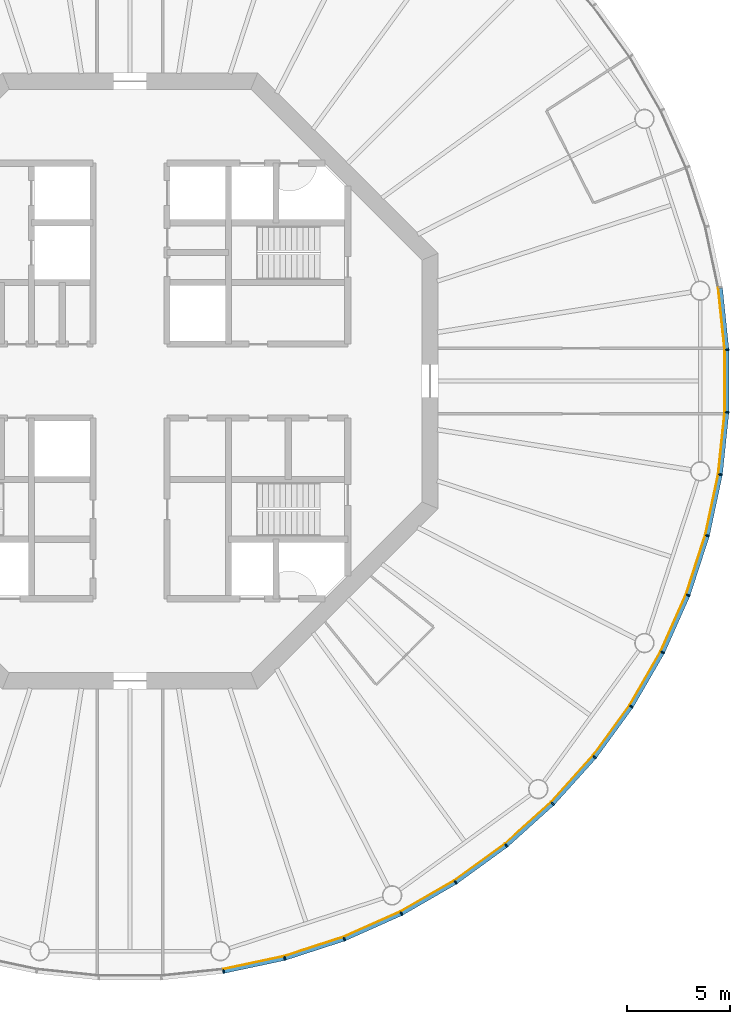
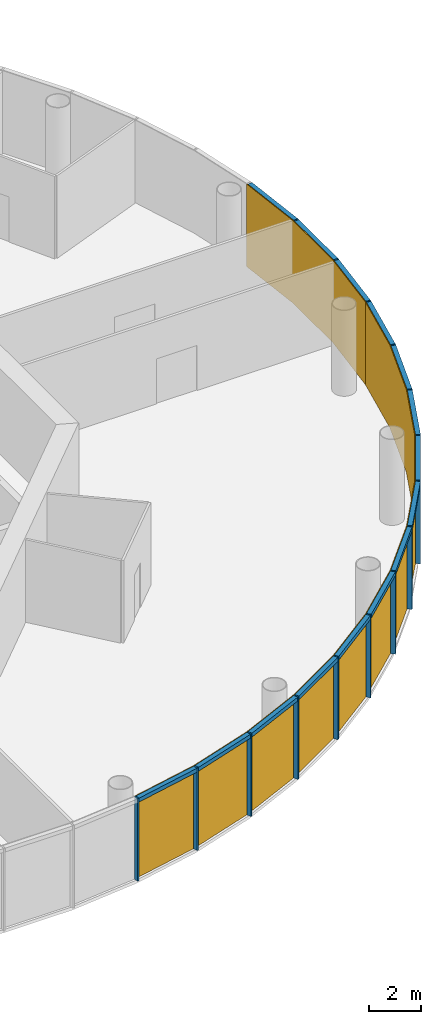
# One storey, part 8 of 12: 30 members, 5 curtain walls.
"""IFC4 building model written with IfcOpenShell, lengths in metres."""

from ifc_helpers import new_model, si_unit, direction, frame, origin, origin_2d, place, context, subcontext, project, spatial, polyline, rectangle, outline, extrude, material, layer, layer_set, material_profile, profile_set, type_object, element, aggregate, save


model = new_model("IFC4")

# Units and contexts
model_context = context("Model", 3, precision=1e-05, world=origin(), true_north=direction((0.0, 1.0)))
body_context = subcontext(model_context, "Body", "Model", "MODEL_VIEW")
ifc_project = project(units=[si_unit("LENGTHUNIT", "METRE"), si_unit("AREAUNIT", "SQUARE_METRE"), si_unit("VOLUMEUNIT", "CUBIC_METRE"), si_unit("PLANEANGLEUNIT", "RADIAN"), si_unit("MASSUNIT", "GRAM", prefix="KILO")], contexts=[model_context])

# Member
ifc_material_1 = material(Name="Anodised aluminium", Category="aluminium")
ifc_material_profile_1 = material_profile(ifc_material_1, rectangle(XDim=0.06494140625, YDim=0.195068359375, at=origin_2d()), Name="Mullion 65 x 195 mm anodised aluminium")
ifc_profile_set_1 = profile_set([ifc_material_profile_1], Name="Anodised aluminium")
member_type_1 = type_object("IfcMemberType", Name="Mullion 65 x 195 mm anodised aluminium", PredefinedType="MULLION", material=ifc_profile_set_1)
site_placement = place(None, origin())
building_placement = place(site_placement, origin())
storey_placement = place(building_placement, frame((0.0, 0.0, 322.0)))
member_1_placement = place(storey_placement, frame((94.5517578125, 51.2607421875, 0.0), z_axis=(0.0, 0.0, 1.0), x_axis=(0.987688340595, 0.15643446504, 0.0)))
member_1 = element("IfcMember", 1, at=member_1_placement, type_object=member_type_1, Name="MULLION L74-45", PredefinedType="MULLION", context=body_context, shape_type="SweptSolid", body=[
    extrude(rectangle(XDim=0.06494140625, YDim=0.195068359375, at=origin_2d()), origin(), (0.0, 0.0, 1.0), 3.85009765625),
])

member_2_placement = place(storey_placement, frame((97.531005859375, 51.89404296875, 0.0), z_axis=(0.0, 0.0, 1.0), x_axis=(0.965925826289, 0.258819045103, 0.0)))
member_2 = element("IfcMember", 2, at=member_2_placement, type_object=member_type_1, Name="MULLION L74-46", PredefinedType="MULLION", context=body_context, shape_type="SweptSolid", body=[
    extrude(rectangle(XDim=0.06494140625, YDim=0.195068359375, at=origin_2d()), origin(), (0.0, 0.0, 1.0), 3.85009765625),
])

member_3_placement = place(storey_placement, frame((100.427490234375, 52.835205078125, 0.0), z_axis=(0.0, 0.0, 1.0), x_axis=(0.933580426497, 0.358367949545, 0.0)))
member_3 = element("IfcMember", 3, at=member_3_placement, type_object=member_type_1, Name="MULLION L74-47", PredefinedType="MULLION", context=body_context, shape_type="SweptSolid", body=[
    extrude(rectangle(XDim=0.06494140625, YDim=0.195068359375, at=origin_2d()), origin(), (0.0, 0.0, 1.0), 3.85009765625),
])

member_4_placement = place(storey_placement, frame((103.2099609375, 54.073974609375, 0.0), z_axis=(0.0, 0.0, 1.0), x_axis=(0.891006524188, 0.45399049974, 0.0)))
member_4 = element("IfcMember", 4, at=member_4_placement, type_object=member_type_1, Name="MULLION L74-48", PredefinedType="MULLION", context=body_context, shape_type="SweptSolid", body=[
    extrude(rectangle(XDim=0.06494140625, YDim=0.195068359375, at=origin_2d()), origin(), (0.0, 0.0, 1.0), 3.85009765625),
])

member_5_placement = place(storey_placement, frame((105.84765625, 55.5966796875, 0.0), z_axis=(0.0, 0.0, 1.0), x_axis=(0.838670567945, 0.544639035015, 0.0)))
member_5 = element("IfcMember", 5, at=member_5_placement, type_object=member_type_1, Name="MULLION L74-49", PredefinedType="MULLION", context=body_context, shape_type="SweptSolid", body=[
    extrude(rectangle(XDim=0.06494140625, YDim=0.195068359375, at=origin_2d()), origin(), (0.0, 0.0, 1.0), 3.85009765625),
])

member_6_placement = place(storey_placement, frame((108.311767578125, 57.386962890625, 0.0), z_axis=(0.0, 0.0, 1.0), x_axis=(0.777145961457, 0.62932039105, 0.0)))
member_6 = element("IfcMember", 6, at=member_6_placement, type_object=member_type_1, Name="MULLION L74-50", PredefinedType="MULLION", context=body_context, shape_type="SweptSolid", body=[
    extrude(rectangle(XDim=0.06494140625, YDim=0.195068359375, at=origin_2d()), origin(), (0.0, 0.0, 1.0), 3.85009765625),
])

member_7_placement = place(storey_placement, frame((110.574951171875, 59.425048828125, 0.0), z_axis=(0.0, 0.0, 1.0), x_axis=(0.707106781187, 0.707106781187, 0.0)))
member_7 = element("IfcMember", 7, at=member_7_placement, type_object=member_type_1, Name="MULLION L74-51", PredefinedType="MULLION", context=body_context, shape_type="SweptSolid", body=[
    extrude(rectangle(XDim=0.06494140625, YDim=0.195068359375, at=origin_2d()), origin(), (0.0, 0.0, 1.0), 3.85009765625),
])

member_8_placement = place(storey_placement, frame((112.613037109375, 61.688232421875, 0.0), z_axis=(0.0, 0.0, 1.0), x_axis=(0.62932039105, 0.777145961457, 0.0)))
member_8 = element("IfcMember", 8, at=member_8_placement, type_object=member_type_1, Name="MULLION L74-52", PredefinedType="MULLION", context=body_context, shape_type="SweptSolid", body=[
    extrude(rectangle(XDim=0.06494140625, YDim=0.195068359375, at=origin_2d()), origin(), (0.0, 0.0, 1.0), 3.85009765625),
])

member_9_placement = place(storey_placement, frame((114.4033203125, 64.15234375, 0.0), z_axis=(0.0, 0.0, 1.0), x_axis=(0.544639035015, 0.838670567945, 0.0)))
member_9 = element("IfcMember", 9, at=member_9_placement, type_object=member_type_1, Name="MULLION L74-53", PredefinedType="MULLION", context=body_context, shape_type="SweptSolid", body=[
    extrude(rectangle(XDim=0.06494140625, YDim=0.195068359375, at=origin_2d()), origin(), (0.0, 0.0, 1.0), 3.85009765625),
])

member_10_placement = place(storey_placement, frame((115.926025390625, 66.7900390625, 0.0), z_axis=(0.0, 0.0, 1.0), x_axis=(0.45399049974, 0.891006524188, 0.0)))
member_10 = element("IfcMember", 10, at=member_10_placement, type_object=member_type_1, Name="MULLION L74-54", PredefinedType="MULLION", context=body_context, shape_type="SweptSolid", body=[
    extrude(rectangle(XDim=0.06494140625, YDim=0.195068359375, at=origin_2d()), origin(), (0.0, 0.0, 1.0), 3.85009765625),
])

member_11_placement = place(storey_placement, frame((117.164794921875, 69.572509765625, 0.0), z_axis=(0.0, 0.0, 1.0), x_axis=(0.358367949545, 0.933580426497, 0.0)))
member_11 = element("IfcMember", 11, at=member_11_placement, type_object=member_type_1, Name="MULLION L74-55", PredefinedType="MULLION", context=body_context, shape_type="SweptSolid", body=[
    extrude(rectangle(XDim=0.06494140625, YDim=0.195068359375, at=origin_2d()), origin(), (0.0, 0.0, 1.0), 3.85009765625),
])

member_12_placement = place(storey_placement, frame((118.10595703125, 72.468994140625, 0.0), z_axis=(0.0, 0.0, 1.0), x_axis=(0.258819045103, 0.965925826289, 0.0)))
member_12 = element("IfcMember", 12, at=member_12_placement, type_object=member_type_1, Name="MULLION L74-56", PredefinedType="MULLION", context=body_context, shape_type="SweptSolid", body=[
    extrude(rectangle(XDim=0.06494140625, YDim=0.195068359375, at=origin_2d()), origin(), (0.0, 0.0, 1.0), 3.85009765625),
])

member_13_placement = place(storey_placement, frame((118.7392578125, 75.4482421875, 0.0), z_axis=(0.0, 0.0, 1.0), x_axis=(0.15643446504, 0.987688340595, 0.0)))
member_13 = element("IfcMember", 13, at=member_13_placement, type_object=member_type_1, Name="MULLION L74-57", PredefinedType="MULLION", context=body_context, shape_type="SweptSolid", body=[
    extrude(rectangle(XDim=0.06494140625, YDim=0.195068359375, at=origin_2d()), origin(), (0.0, 0.0, 1.0), 3.85009765625),
])

member_14_placement = place(storey_placement, frame((119.0576171875, 78.47705078125, 0.0), z_axis=(0.0, 0.0, 1.0), x_axis=(0.052335956243, 0.998629534755, 0.0)))
member_14 = element("IfcMember", 14, at=member_14_placement, type_object=member_type_1, Name="MULLION L74-58", PredefinedType="MULLION", context=body_context, shape_type="SweptSolid", body=[
    extrude(rectangle(XDim=0.06494140625, YDim=0.195068359375, at=origin_2d()), origin(), (0.0, 0.0, 1.0), 3.85009765625),
])

member_15_placement = place(storey_placement, frame((119.0576171875, 81.52294921875, 0.0), z_axis=(0.0, 0.0, 1.0), x_axis=(-0.052335956243, 0.998629534755, 0.0)))
member_15 = element("IfcMember", 15, at=member_15_placement, type_object=member_type_1, Name="MULLION L74-59", PredefinedType="MULLION", context=body_context, shape_type="SweptSolid", body=[
    extrude(rectangle(XDim=0.06494140625, YDim=0.195068359375, at=origin_2d()), origin(), (0.0, 0.0, 1.0), 3.85009765625),
])

ifc_material_2 = material(Name="Anodised aluminium", Category="aluminium")
ifc_material_profile_2 = material_profile(ifc_material_2, rectangle(XDim=0.195068359375, YDim=0.179931640625, at=origin_2d()), Name="Transom 180 x 195 mm anodised aluminium")
ifc_profile_set_2 = profile_set([ifc_material_profile_2], Name="Anodised aluminium")
member_type_2 = type_object("IfcMemberType", Name="Transom 180 x 195 mm anodised aluminium", PredefinedType="USERDEFINED", material=ifc_profile_set_2)
member_16_placement = place(storey_placement, frame((94.588623046875, 51.268310546875, 3.760009765625), z_axis=(0.978141510112, 0.207940342877, 0.0), x_axis=(-0.207940342877, 0.978141510112, 0.0)))
member_16 = element("IfcMember", 16, at=member_16_placement, type_object=member_type_2, Name="TRANSOM L74-45", ObjectType="TRANSOM", PredefinedType="USERDEFINED", context=body_context, shape_type="SweptSolid", body=[
    extrude(rectangle(XDim=0.195068359375, YDim=0.179931640625, at=origin_2d()), origin(), (0.0, 0.0, 1.0), 2.970458984375),
])

member_17_placement = place(storey_placement, frame((97.56689453125, 51.905517578125, 3.760009765625), z_axis=(0.951047960094, 0.309043326415, 0.0), x_axis=(-0.309043326415, 0.951047960094, 0.0)))
member_17 = element("IfcMember", 17, at=member_17_placement, type_object=member_type_2, Name="TRANSOM L74-46", ObjectType="TRANSOM", PredefinedType="USERDEFINED", context=body_context, shape_type="SweptSolid", body=[
    extrude(rectangle(XDim=0.195068359375, YDim=0.179931640625, at=origin_2d()), origin(), (0.0, 0.0, 1.0), 2.970458984375),
])

member_18_placement = place(storey_placement, frame((100.4619140625, 52.850341796875, 3.760009765625), z_axis=(0.913550406593, 0.406725527369, 0.0), x_axis=(-0.406725527369, 0.913550406593, 0.0)))
member_18 = element("IfcMember", 18, at=member_18_placement, type_object=member_type_2, Name="TRANSOM L74-47", ObjectType="TRANSOM", PredefinedType="USERDEFINED", context=body_context, shape_type="SweptSolid", body=[
    extrude(rectangle(XDim=0.195068359375, YDim=0.179931640625, at=origin_2d()), origin(), (0.0, 0.0, 1.0), 2.970703125),
])

member_19_placement = place(storey_placement, frame((103.24267578125, 54.092529296875, 3.760009765625), z_axis=(0.866009025146, 0.500028367561, 0.0), x_axis=(-0.500028367561, 0.866009025146, 0.0)))
member_19 = element("IfcMember", 19, at=member_19_placement, type_object=member_type_2, Name="TRANSOM L74-48", ObjectType="TRANSOM", PredefinedType="USERDEFINED", context=body_context, shape_type="SweptSolid", body=[
    extrude(rectangle(XDim=0.195068359375, YDim=0.179931640625, at=origin_2d()), origin(), (0.0, 0.0, 1.0), 2.970458984375),
])

member_20_placement = place(storey_placement, frame((105.878173828125, 55.618896484375, 3.760009765625), z_axis=(0.809030990733, 0.587765987476, 0.0), x_axis=(-0.587765987476, 0.809030990733, 0.0)))
member_20 = element("IfcMember", 20, at=member_20_placement, type_object=member_type_2, Name="TRANSOM L74-49", ObjectType="TRANSOM", PredefinedType="USERDEFINED", context=body_context, shape_type="SweptSolid", body=[
    extrude(rectangle(XDim=0.195068359375, YDim=0.179931640625, at=origin_2d()), origin(), (0.0, 0.0, 1.0), 2.97021484375),
])

member_21_placement = place(storey_placement, frame((108.339599609375, 57.412109375, 3.760009765625), z_axis=(0.743163354343, 0.669110027395, 0.0), x_axis=(-0.669110027395, 0.743163354343, 0.0)))
member_21 = element("IfcMember", 21, at=member_21_placement, type_object=member_type_2, Name="TRANSOM L74-50", ObjectType="TRANSOM", PredefinedType="USERDEFINED", context=body_context, shape_type="SweptSolid", body=[
    extrude(rectangle(XDim=0.195068359375, YDim=0.179931640625, at=origin_2d()), origin(), (0.0, 0.0, 1.0), 2.970458984375),
])

member_22_placement = place(storey_placement, frame((110.600341796875, 59.452880859375, 3.760009765625), z_axis=(0.669110027395, 0.743163354343, 0.0), x_axis=(-0.743163354343, 0.669110027395, 0.0)))
member_22 = element("IfcMember", 22, at=member_22_placement, type_object=member_type_2, Name="TRANSOM L74-51", ObjectType="TRANSOM", PredefinedType="USERDEFINED", context=body_context, shape_type="SweptSolid", body=[
    extrude(rectangle(XDim=0.195068359375, YDim=0.179931640625, at=origin_2d()), origin(), (0.0, 0.0, 1.0), 2.970458984375),
])

member_23_placement = place(storey_placement, frame((112.63525390625, 61.71875, 3.760009765625), z_axis=(0.587765987476, 0.809030990733, 0.0), x_axis=(-0.809030990733, 0.587765987476, 0.0)))
member_23 = element("IfcMember", 23, at=member_23_placement, type_object=member_type_2, Name="TRANSOM L74-52", ObjectType="TRANSOM", PredefinedType="USERDEFINED", context=body_context, shape_type="SweptSolid", body=[
    extrude(rectangle(XDim=0.195068359375, YDim=0.179931640625, at=origin_2d()), origin(), (0.0, 0.0, 1.0), 2.97021484375),
])

member_24_placement = place(storey_placement, frame((114.422119140625, 64.184814453125, 3.760009765625), z_axis=(0.500028367561, 0.866009025146, 0.0), x_axis=(-0.866009025146, 0.500028367561, 0.0)))
member_24 = element("IfcMember", 24, at=member_24_placement, type_object=member_type_2, Name="TRANSOM L74-53", ObjectType="TRANSOM", PredefinedType="USERDEFINED", context=body_context, shape_type="SweptSolid", body=[
    extrude(rectangle(XDim=0.195068359375, YDim=0.179931640625, at=origin_2d()), origin(), (0.0, 0.0, 1.0), 2.970458984375),
])

member_25_placement = place(storey_placement, frame((115.94140625, 66.82421875, 3.760009765625), z_axis=(0.406725527369, 0.913550406593, 0.0), x_axis=(-0.913550406593, 0.406725527369, 0.0)))
member_25 = element("IfcMember", 25, at=member_25_placement, type_object=member_type_2, Name="TRANSOM L74-54", ObjectType="TRANSOM", PredefinedType="USERDEFINED", context=body_context, shape_type="SweptSolid", body=[
    extrude(rectangle(XDim=0.195068359375, YDim=0.179931640625, at=origin_2d()), origin(), (0.0, 0.0, 1.0), 2.970703125),
])

member_26_placement = place(storey_placement, frame((117.176513671875, 69.608154296875, 3.760009765625), z_axis=(0.309043326415, 0.951047960094, 0.0), x_axis=(-0.951047960094, 0.309043326415, 0.0)))
member_26 = element("IfcMember", 26, at=member_26_placement, type_object=member_type_2, Name="TRANSOM L74-55", ObjectType="TRANSOM", PredefinedType="USERDEFINED", context=body_context, shape_type="SweptSolid", body=[
    extrude(rectangle(XDim=0.195068359375, YDim=0.179931640625, at=origin_2d()), origin(), (0.0, 0.0, 1.0), 2.970458984375),
])

member_27_placement = place(storey_placement, frame((118.114013671875, 72.505859375, 3.760009765625), z_axis=(0.207940342877, 0.978141510112, 0.0), x_axis=(-0.978141510112, 0.207940342877, 0.0)))
member_27 = element("IfcMember", 27, at=member_27_placement, type_object=member_type_2, Name="TRANSOM L74-56", ObjectType="TRANSOM", PredefinedType="USERDEFINED", context=body_context, shape_type="SweptSolid", body=[
    extrude(rectangle(XDim=0.195068359375, YDim=0.179931640625, at=origin_2d()), origin(), (0.0, 0.0, 1.0), 2.970458984375),
])

member_28_placement = place(storey_placement, frame((118.743408203125, 75.485595703125, 3.760009765625), z_axis=(0.104466577987, 0.994528397827, 0.0), x_axis=(-0.994528397827, 0.104466577987, 0.0)))
member_28 = element("IfcMember", 28, at=member_28_placement, type_object=member_type_2, Name="TRANSOM L74-57", ObjectType="TRANSOM", PredefinedType="USERDEFINED", context=body_context, shape_type="SweptSolid", body=[
    extrude(rectangle(XDim=0.195068359375, YDim=0.179931640625, at=origin_2d()), origin(), (0.0, 0.0, 1.0), 2.970458984375),
])

member_29_placement = place(storey_placement, frame((119.057861328125, 78.5146484375, 3.760009765625), z_axis=(0.0, 1.0, 0.0), x_axis=(-1.0, 0.0, 0.0)))
member_29 = element("IfcMember", 29, at=member_29_placement, type_object=member_type_2, Name="TRANSOM L74-58", ObjectType="TRANSOM", PredefinedType="USERDEFINED", context=body_context, shape_type="SweptSolid", body=[
    extrude(rectangle(XDim=0.195068359375, YDim=0.179931640625, at=origin_2d()), origin(), (0.0, 0.0, 1.0), 2.970703125),
])

member_30_placement = place(storey_placement, frame((119.0537109375, 81.560302734375, 3.760009765625), z_axis=(-0.104466577987, 0.994528397827, 0.0), x_axis=(-0.994528397827, -0.104466577987, 0.0)))
member_30 = element("IfcMember", 30, at=member_30_placement, type_object=member_type_2, Name="TRANSOM L74-59", ObjectType="TRANSOM", PredefinedType="USERDEFINED", context=body_context, shape_type="SweptSolid", body=[
    extrude(rectangle(XDim=0.195068359375, YDim=0.179931640625, at=origin_2d()), origin(), (0.0, 0.0, 1.0), 2.970458984375),
])

# Site, building, storey
site = spatial("IfcSite", under=ifc_project, at=site_placement, CompositionType="ELEMENT")
building = spatial("IfcBuilding", under=site, at=building_placement, Name="Entoto Ring Tower", CompositionType="ELEMENT")
storey = spatial("IfcBuildingStorey", under=building, at=storey_placement, Name="L74", CompositionType="ELEMENT", Elevation=322.0)

# Curtain wall
ifc_material_3 = material(Name="Clear low-iron glass", Category="glass")
ifc_layer = layer(ifc_material_3, 0.033935546875)
ifc_layer_set = layer_set([ifc_layer], Name="Clear low-iron glass")
curtain_wall_type = type_object("IfcCurtainWallType", Name="Curtain wall system CW5 glazing 34 mm", PredefinedType="NOTDEFINED", material=ifc_layer_set)
curtain_wall_1_placement = place(storey_placement, origin())
curtain_wall_1 = element("IfcCurtainWall", 31, at=curtain_wall_1_placement, inside=storey, type_object=curtain_wall_type, Name="CW5 L74-16", PredefinedType="NOTDEFINED", context=body_context, shape_type="SweptSolid", body=[
    extrude(outline(polyline([(94.53662109375, 51.35693359375), (97.505859375, 51.988037109375), (100.392578125, 52.92626953125), (103.165771484375, 54.160888671875), (103.150146484375, 54.191162109375), (100.38037109375, 52.9580078125), (97.496826171875, 52.02099609375), (94.53125, 51.390625), (94.53662109375, 51.35693359375)])), origin(), (0.0, 0.0, 1.0), 3.85009765625),
])

aggregate(curtain_wall_1, [member_1, member_2, member_3, member_16, member_17, member_18])

curtain_wall_2_placement = place(storey_placement, origin())
curtain_wall_2 = element("IfcCurtainWall", 32, at=curtain_wall_2_placement, inside=storey, type_object=curtain_wall_type, Name="CW5 L74-17", PredefinedType="NOTDEFINED", context=body_context, shape_type="SweptSolid", body=[
    extrude(outline(polyline([(103.165771484375, 54.160888671875), (105.79443359375, 55.678466796875), (108.250244140625, 57.462646484375), (110.506103515625, 59.493896484375), (110.48193359375, 59.51806640625), (108.228759765625, 57.4892578125), (105.77587890625, 55.70703125), (103.150146484375, 54.191162109375), (103.165771484375, 54.160888671875)])), origin(), (0.0, 0.0, 1.0), 3.85009765625),
])

aggregate(curtain_wall_2, [member_4, member_5, member_6, member_19, member_20, member_21])

curtain_wall_3_placement = place(storey_placement, origin())
curtain_wall_3 = element("IfcCurtainWall", 33, at=curtain_wall_3_placement, inside=storey, type_object=curtain_wall_type, Name="CW5 L74-18", PredefinedType="NOTDEFINED", context=body_context, shape_type="SweptSolid", body=[
    extrude(outline(polyline([(110.506103515625, 59.493896484375), (112.537353515625, 61.749755859375), (114.321533203125, 64.20556640625), (115.839111328125, 66.834228515625), (115.808837890625, 66.849853515625), (114.29296875, 64.22412109375), (112.5107421875, 61.771240234375), (110.48193359375, 59.51806640625), (110.506103515625, 59.493896484375)])), origin(), (0.0, 0.0, 1.0), 3.85009765625),
])

aggregate(curtain_wall_3, [member_7, member_8, member_9, member_22, member_23, member_24])

curtain_wall_4_placement = place(storey_placement, origin())
curtain_wall_4 = element("IfcCurtainWall", 34, at=curtain_wall_4_placement, inside=storey, type_object=curtain_wall_type, Name="CW5 L74-19", PredefinedType="NOTDEFINED", context=body_context, shape_type="SweptSolid", body=[
    extrude(outline(polyline([(115.839111328125, 66.834228515625), (117.07373046875, 69.607421875), (118.011962890625, 72.494140625), (118.64306640625, 75.46337890625), (118.609375, 75.46875), (117.97900390625, 72.503173828125), (117.0419921875, 69.61962890625), (115.808837890625, 66.849853515625), (115.839111328125, 66.834228515625)])), origin(), (0.0, 0.0, 1.0), 3.85009765625),
])

aggregate(curtain_wall_4, [member_10, member_11, member_12, member_25, member_26, member_27])

curtain_wall_5_placement = place(storey_placement, origin())
curtain_wall_5 = element("IfcCurtainWall", 35, at=curtain_wall_5_placement, inside=storey, type_object=curtain_wall_type, Name="CW5 L74-20", PredefinedType="NOTDEFINED", context=body_context, shape_type="SweptSolid", body=[
    extrude(outline(polyline([(118.64306640625, 75.46337890625), (118.960205078125, 78.482177734375), (118.960205078125, 81.517822265625), (118.64306640625, 84.53662109375), (118.609375, 84.53125), (118.92626953125, 81.515869140625), (118.92626953125, 78.484130859375), (118.609375, 75.46875), (118.64306640625, 75.46337890625)])), origin(), (0.0, 0.0, 1.0), 3.85009765625),
])

aggregate(curtain_wall_5, [member_13, member_14, member_15, member_28, member_29, member_30])

save(model, "model.ifc")
